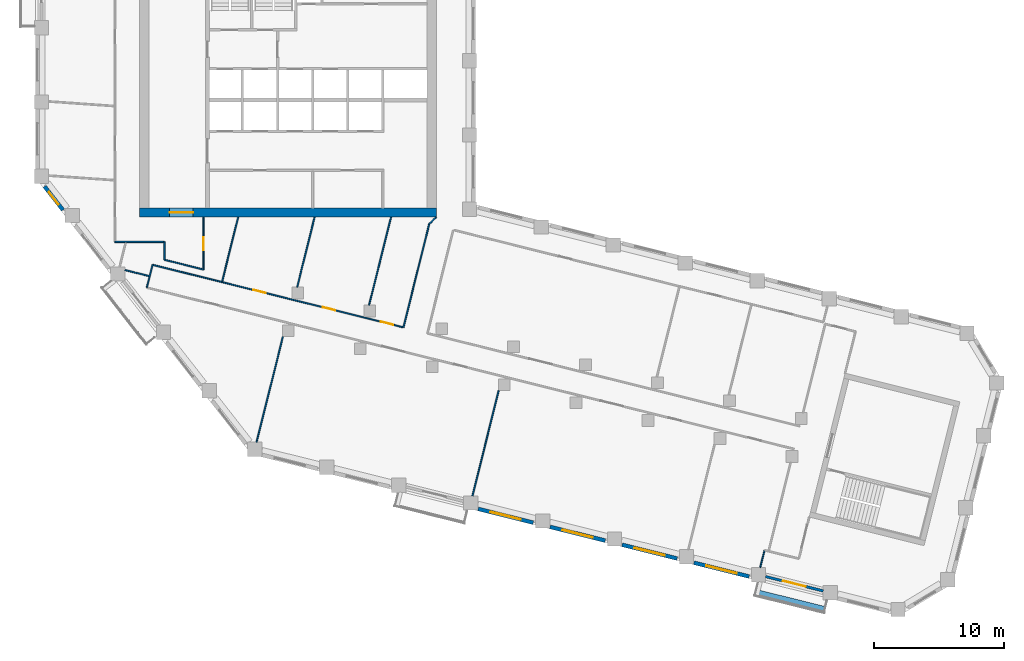
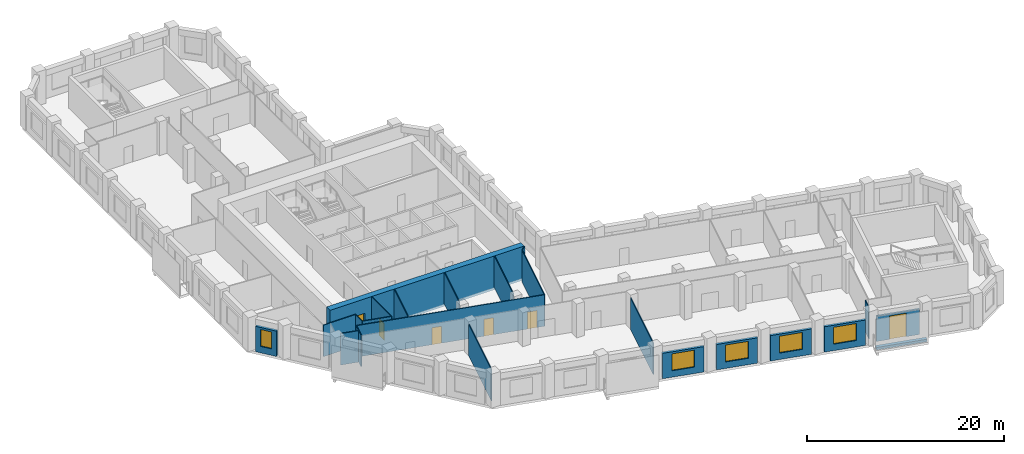
# One storey, part 3 of 10: 23 walls, 6 doors, 5 windows, 11 openings.
"""IFC4 building model written with IfcOpenShell, lengths in metres."""

import ifcopenshell
import ifcopenshell.guid

model = None  # the IFC model being written
_history = None  # IfcOwnerHistory: only IFC2X3 demands one
_inside = {}  # id of a spatial element -> (the spatial element, [elements in it])
_under = {}  # id of a project, library or spatial element -> (it, [spatial elements below it])
_declared = {}  # id of a project -> (the project, [libraries it declares])
_typed = {}  # id of a type object -> (the type object, [elements of that type])
_made_of = {}  # id of a material, layer set ... -> (it, [elements and type objects made of it])


def new_model(schema):
    """Start an empty IFC model of exactly this schema.

    Asked for "IFC4X3", IfcOpenShell would pick the latest addendum, in which some entities
    have other attributes; the version numbers below select the first issue.
    IFC2X3 requires an IfcOwnerHistory on every rooted entity: one is made here for all.
    """
    global model, _history
    if schema == "IFC4X3":
        model = ifcopenshell.file(schema_version=(4, 3, 0, 0))
    else:
        model = ifcopenshell.file(schema=schema)
    _inside.clear()
    _under.clear()
    _declared.clear()
    _typed.clear()
    _made_of.clear()
    _history = None
    if model.schema == "IFC2X3":
        org = make("IfcOrganization", Name="unknown")
        user = make(
            "IfcPersonAndOrganization",
            ThePerson=make("IfcPerson", FamilyName="unknown"),
            TheOrganization=org,
        )
        app = make(
            "IfcApplication",
            ApplicationDeveloper=org,
            Version="unknown",
            ApplicationFullName="unknown",
            ApplicationIdentifier="unknown",
        )
        _history = make(
            "IfcOwnerHistory",
            OwningUser=user,
            OwningApplication=app,
            ChangeAction="ADDED",
            CreationDate=0,
        )
    return model


def make(cls, **values):
    """One entity of the class cls with the attributes given. An attribute that is None is left unset."""
    return model.create_entity(
        cls, **{name: value for name, value in values.items() if value is not None}
    )


def rooted(cls, **values):
    """An entity with a GlobalId (a new one), such as an element, a storey or a relation."""
    return make(cls, GlobalId=ifcopenshell.guid.new(), OwnerHistory=_history, **values)


def si_unit(unit_type, name, prefix=None):
    """IfcSIUnit, for example si_unit("LENGTHUNIT", "METRE", prefix="MILLI")."""
    return make("IfcSIUnit", UnitType=unit_type, Prefix=prefix, Name=name)


def assignment(units):
    """IfcUnitAssignment: the units of a project."""
    return None if units is None else make("IfcUnitAssignment", Units=units)


def point(xyz):
    """IfcCartesianPoint."""
    return None if xyz is None else make("IfcCartesianPoint", Coordinates=xyz)


def direction(xyz):
    """IfcDirection."""
    return None if xyz is None else make("IfcDirection", DirectionRatios=xyz)


def frame(location, z_axis=None, x_axis=None):
    """IfcAxis2Placement3D, a coordinate frame: its origin and axes. An axis left out is left unset."""
    return make(
        "IfcAxis2Placement3D",
        Location=point(location),
        Axis=direction(z_axis),
        RefDirection=direction(x_axis),
    )


def frame_2d(location, x_axis=None):
    """IfcAxis2Placement2D, a coordinate frame in the plane: its origin and x axis."""
    return make(
        "IfcAxis2Placement2D", Location=point(location), RefDirection=direction(x_axis)
    )


def origin():
    """The frame at (0, 0, 0) with its axes left unset."""
    return frame((0.0, 0.0, 0.0))


def place(relative_to, where):
    """IfcLocalPlacement: puts the frame where relative to a parent placement (None: the world)."""
    return make(
        "IfcLocalPlacement", PlacementRelTo=relative_to, RelativePlacement=where
    )


def context(
    kind, dimensions, precision=None, world=None, true_north=None, identifier=None
):
    """IfcGeometricRepresentationContext, for example the 3D "Model" context."""
    return make(
        "IfcGeometricRepresentationContext",
        ContextIdentifier=identifier,
        ContextType=kind,
        CoordinateSpaceDimension=dimensions,
        Precision=precision,
        WorldCoordinateSystem=world,
        TrueNorth=true_north,
    )


def subcontext(parent, identifier, kind, view, scale=None):
    """IfcGeometricRepresentationSubContext, for example "Body" below "Model"."""
    return make(
        "IfcGeometricRepresentationSubContext",
        ContextIdentifier=identifier,
        ContextType=kind,
        ParentContext=parent,
        TargetScale=scale,
        TargetView=view,
    )


def project(units=None, contexts=None):
    """IfcProject with its units and contexts."""
    return rooted(
        "IfcProject",
        Name="project",
        RepresentationContexts=contexts,
        UnitsInContext=assignment(units),
    )


def spatial(cls, under=None, at=None, **own):
    """A site, building, storey or space (cls), placed at a placement, below another one or the project."""
    s = rooted(cls, ObjectPlacement=at, **own)
    if under is not None:
        _under.setdefault(under.id(), (under, []))[1].append(s)
    return s


def profile(cls, at=None, kind="AREA", **sizes):
    """A parametric profile (cls). Its sizes go by their IFC names, for example OverallWidth=200.0."""
    return make(cls, ProfileType=kind, Position=at, **sizes)


def rectangle(**sizes):
    """IfcRectangleProfileDef."""
    return profile("IfcRectangleProfileDef", **sizes)


def extrude(swept, where, along, depth):
    """IfcExtrudedAreaSolid: the profile swept, set in the frame where, extruded along a direction by depth."""
    return make(
        "IfcExtrudedAreaSolid",
        SweptArea=swept,
        Position=where,
        ExtrudedDirection=direction(along),
        Depth=depth,
    )


def shape(context_of_items, identifier, shape_type, items):
    """IfcShapeRepresentation: the items that make up one representation, for example the "Body"."""
    return make(
        "IfcShapeRepresentation",
        ContextOfItems=context_of_items,
        RepresentationIdentifier=identifier,
        RepresentationType=shape_type,
        Items=items,
    )


def material(Name=None, Category=None):
    """IfcMaterial."""
    return make("IfcMaterial", Name=Name, Category=Category)


def layer(
    of_material, thickness, ventilated=None, Name=None, Category=None, Priority=None
):
    """IfcMaterialLayer: one layer of a wall or slab, of a material (None: an air gap)."""
    return make(
        "IfcMaterialLayer",
        Material=of_material,
        LayerThickness=thickness,
        IsVentilated=ventilated,
        Name=Name,
        Category=Category,
        Priority=Priority,
    )


def layer_set(layers, Name=None):
    """IfcMaterialLayerSet."""
    return make("IfcMaterialLayerSet", MaterialLayers=layers, LayerSetName=Name)


def made_of(thing, what):
    """Note that an element or type object is made of a material, layer set ...; save() writes the relation."""
    if what is not None:
        _made_of.setdefault(what.id(), (what, []))[1].append(thing)
    return thing


def type_object(cls, material=None, **own):
    """A type object (cls), such as IfcWallType, which elements share."""
    return made_of(rooted(cls, **own), material)


def element(
    cls,
    number,
    at=None,
    inside=None,
    cuts=None,
    type_object=None,
    material=None,
    context=None,
    identifier="Body",
    shape_type=None,
    held_by="IfcProductDefinitionShape",
    body=None,
    shapes=None,
    **own,
):
    """One element of the class cls, such as IfcWall. Its Tag is "e" and its number.

    at: its placement. inside: the storey or other place that contains it. cuts: it is an
    opening in that element (IfcRelVoidsElement). A single representation is given by context,
    identifier, shape_type and body (its items); several are given by shapes. held_by: the class
    of the entity that holds the representations. save() writes the other relations.
    """
    e = rooted(cls, Tag="e%d" % number, ObjectPlacement=at, **own)
    if body is not None:
        shapes = [shape(context, identifier, shape_type, body)]
    if shapes is not None:
        e.Representation = make(held_by, Representations=shapes)
    if inside is not None:
        _inside.setdefault(inside.id(), (inside, []))[1].append(e)
    if cuts is not None:
        rooted(
            "IfcRelVoidsElement", RelatingBuildingElement=cuts, RelatedOpeningElement=e
        )
    if type_object is not None:
        _typed.setdefault(type_object.id(), (type_object, []))[1].append(e)
    return made_of(e, material)


def fill(opening, filler):
    """IfcRelFillsElement: the door or window that sits in an opening."""
    return rooted(
        "IfcRelFillsElement",
        RelatingOpeningElement=opening,
        RelatedBuildingElement=filler,
    )


def aggregate(whole, parts):
    """IfcRelAggregates: a whole, such as a stair, and the parts it consists of."""
    return rooted("IfcRelAggregates", RelatingObject=whole, RelatedObjects=parts)


def save(model, path):
    """Write the relations noted so far, then the file.

    IfcRelAggregates (storeys below a building ...), IfcRelContainedInSpatialStructure (elements
    in a storey), IfcRelDefinesByType, IfcRelAssociatesMaterial and IfcRelDeclares: one each for
    every whole, place, type object, material and project.
    """
    for whole, parts in _under.values():
        aggregate(whole, parts)
    for where, things in _inside.values():
        rooted(
            "IfcRelContainedInSpatialStructure",
            RelatedElements=things,
            RelatingStructure=where,
        )
    for kind, things in _typed.values():
        rooted("IfcRelDefinesByType", RelatedObjects=things, RelatingType=kind)
    for what, things in _made_of.values():
        rooted("IfcRelAssociatesMaterial", RelatedObjects=things, RelatingMaterial=what)
    for by, libraries in _declared.values():
        rooted("IfcRelDeclares", RelatingContext=by, RelatedDefinitions=libraries)
    model.write(path)


model = new_model("IFC4")

# Units and contexts
model_context = context("Model", 3, precision=1e-05, world=origin(), true_north=direction((0.0, 1.0)))
body_context = subcontext(model_context, "Body", "Model", "MODEL_VIEW")
ifc_project = project(units=[si_unit("LENGTHUNIT", "METRE"), si_unit("AREAUNIT", "SQUARE_METRE"), si_unit("VOLUMEUNIT", "CUBIC_METRE"), si_unit("PLANEANGLEUNIT", "RADIAN"), si_unit("MASSUNIT", "GRAM", prefix="KILO")], contexts=[model_context])

# Site, building, storey
site_placement = place(None, origin())
site = spatial("IfcSite", under=ifc_project, at=site_placement, CompositionType="ELEMENT")
building_placement = place(site_placement, origin())
building = spatial("IfcBuilding", under=site, at=building_placement, Name="Meshkara Civic Tower", CompositionType="ELEMENT")
storey_placement = place(building_placement, frame((0.0, 0.0, 271.800048828125)))
storey = spatial("IfcBuildingStorey", under=building, at=storey_placement, Name="L62", CompositionType="ELEMENT", Elevation=271.800048828125)

# Wall, opening, door
ifc_material_1 = material(Name="Concrete C60", Category="concrete")
ifc_layer_1 = layer(ifc_material_1, 0.699951171875)
ifc_layer_set_1 = layer_set([ifc_layer_1], Name="Core ring wall 700 C60")
wall_type_1 = type_object("IfcWallType", Name="Core ring wall 700 C60", PredefinedType="SHEAR", material=ifc_layer_set_1)
wall_1_placement = place(storey_placement, frame((8.0, 14.449951171875, -0.300048828125), z_axis=(0.0, 0.0, 1.0), x_axis=(1.0, 0.0, 0.0)))
wall_1 = element("IfcWall", 1, at=wall_1_placement, inside=storey, type_object=wall_type_1, Name="L62-C001", PredefinedType="SHEAR", context=body_context, shape_type="SweptSolid", body=[
    extrude(rectangle(XDim=22.800048828125, YDim=0.699951171875, at=frame_2d((11.39990234375, 0.0))), origin(), (0.0, 0.0, 1.0), 4.199951171875),
])
opening_1_placement = place(wall_1_placement, frame((2.300048828125, 0.0, 0.300048828125)))
opening_1 = element("IfcOpeningElement", 2, at=opening_1_placement, cuts=wall_1, Name="Opening L62-K020", PredefinedType="OPENING", context=body_context, shape_type="SweptSolid", body=[
    extrude(rectangle(XDim=1.800048828125, YDim=2.10009765625, at=frame_2d((0.89990234375, 1.050048828125))), frame((0.0, 0.35986328125, 0.0), z_axis=(0.0, -1.0, 0.0), x_axis=(1.0, 0.0, 0.0)), (0.0, 0.0, 1.0), 0.719970703125),
])
ifc_material_2 = material(Name="Fire-rated door leaf in steel frame", Category="steel")
door_type_1 = type_object("IfcDoorType", Name="Core double door 1800 EI 60", OperationType="DOUBLE_DOOR_SINGLE_SWING", PredefinedType="DOOR", material=ifc_material_2)
door_1_placement = place(opening_1_placement, origin())
door_1 = element("IfcDoor", 3, at=door_1_placement, inside=storey, type_object=door_type_1, Name="L62-K020", OperationType="DOUBLE_DOOR_SINGLE_SWING", OverallHeight=2.10009765625, OverallWidth=1.800048828125, PredefinedType="DOOR", context=body_context, shape_type="SweptSolid", body=[
    extrude(rectangle(XDim=1.800048828125, YDim=2.10009765625, at=frame_2d((0.89990234375, 1.050048828125))), frame((0.0, 0.02490234375, 0.0), z_axis=(0.0, -1.0, 0.0), x_axis=(1.0, 0.0, 0.0)), (0.0, 0.0, 1.0), 0.050048828125),
])
fill(opening_1, door_1)

# Wall
ifc_material_3 = material(Name="Corridor wall 100")
ifc_layer_2 = layer(ifc_material_3, 0.10009765625)
ifc_layer_set_2 = layer_set([ifc_layer_2], Name="Corridor wall 100")
wall_type_2 = type_object("IfcWallType", Name="Corridor wall 100", PredefinedType="PARTITIONING", material=ifc_layer_set_2)
wall_2_placement = place(storey_placement, frame((6.10009765625, 12.199951171875, 0.0), z_axis=(0.0, 0.0, 1.0), x_axis=(1.0, 0.0, 0.0)))
element("IfcWall", 4, at=wall_2_placement, inside=storey, type_object=wall_type_2, Name="L62-W004", PredefinedType="PARTITIONING", context=body_context, shape_type="SweptSolid", body=[
    extrude(rectangle(XDim=3.7998046875, YDim=0.10009765625, at=frame_2d((1.89990234375, 0.0))), origin(), (0.0, 0.0, 1.0), 3.89990234375),
])

# Wall, openings, doors
wall_3_placement = place(storey_placement, frame((8.988037109375, 10.43994140625, 0.0), z_axis=(0.0, 0.0, 1.0), x_axis=(0.970301223092, -0.241899848006, 0.0)))
wall_3 = element("IfcWall", 5, at=wall_3_placement, inside=storey, type_object=wall_type_2, Name="L62-W007", PredefinedType="PARTITIONING", context=body_context, shape_type="SweptSolid", body=[
    extrude(rectangle(XDim=19.87939453125, YDim=0.10009765625, at=frame_2d((9.939697265625, 0.0))), origin(), (0.0, 0.0, 1.0), 3.89990234375),
])
opening_2_placement = place(wall_3_placement, frame((18.0830078125, 0.0, 0.0)))
opening_2 = element("IfcOpeningElement", 6, at=opening_2_placement, cuts=wall_3, Name="Opening L62-D005", PredefinedType="OPENING", context=body_context, shape_type="SweptSolid", body=[
    extrude(rectangle(XDim=1.0, YDim=2.10009765625, at=frame_2d((0.5, 1.050048828125))), frame((0.0, 0.06005859375, 0.0), z_axis=(0.0, -1.0, 0.0), x_axis=(1.0, 0.0, 0.0)), (0.0, 0.0, 1.0), 0.1201171875),
])
opening_3_placement = place(wall_3_placement, frame((7.98291015625, 0.0, 0.0)))
opening_3 = element("IfcOpeningElement", 7, at=opening_3_placement, cuts=wall_3, Name="Opening L62-D011", PredefinedType="OPENING", context=body_context, shape_type="SweptSolid", body=[
    extrude(rectangle(XDim=1.0, YDim=2.10009765625, at=frame_2d((0.5, 1.050048828125))), frame((0.0, 0.06005859375, 0.0), z_axis=(0.0, -1.0, 0.0), x_axis=(1.0, 0.0, 0.0)), (0.0, 0.0, 1.0), 0.1201171875),
])
opening_4_placement = place(wall_3_placement, frame((13.48291015625, 0.0, 0.0)))
opening_4 = element("IfcOpeningElement", 8, at=opening_4_placement, cuts=wall_3, Name="Opening L62-D012", PredefinedType="OPENING", context=body_context, shape_type="SweptSolid", body=[
    extrude(rectangle(XDim=1.0, YDim=2.10009765625, at=frame_2d((0.5, 1.050048828125))), frame((0.0, 0.06005859375, 0.0), z_axis=(0.0, -1.0, 0.0), x_axis=(1.0, 0.0, 0.0)), (0.0, 0.0, 1.0), 0.1201171875),
])
ifc_material_4 = material(Name="Door 1000 x 2100")
door_type_2 = type_object("IfcDoorType", Name="Door 1000 x 2100", OperationType="SINGLE_SWING_LEFT", PredefinedType="DOOR", material=ifc_material_4)
door_2_placement = place(opening_2_placement, origin())
door_2 = element("IfcDoor", 9, at=door_2_placement, inside=storey, type_object=door_type_2, Name="L62-D005", OperationType="SINGLE_SWING_RIGHT", OverallHeight=2.10009765625, OverallWidth=1.0, PredefinedType="DOOR", context=body_context, shape_type="SweptSolid", body=[
    extrude(rectangle(XDim=1.0, YDim=2.10009765625, at=frame_2d((0.5, 1.050048828125))), frame((0.0, 0.02490234375, 0.0), z_axis=(0.0, -1.0, 0.0), x_axis=(1.0, 0.0, 0.0)), (0.0, 0.0, 1.0), 0.050048828125),
])
fill(opening_2, door_2)
door_3_placement = place(opening_3_placement, origin())
door_3 = element("IfcDoor", 10, at=door_3_placement, inside=storey, type_object=door_type_2, Name="L62-D011", OperationType="SINGLE_SWING_RIGHT", OverallHeight=2.10009765625, OverallWidth=1.0, PredefinedType="DOOR", context=body_context, shape_type="SweptSolid", body=[
    extrude(rectangle(XDim=1.0, YDim=2.10009765625, at=frame_2d((0.5, 1.050048828125))), frame((0.0, 0.02490234375, 0.0), z_axis=(0.0, -1.0, 0.0), x_axis=(1.0, 0.0, 0.0)), (0.0, 0.0, 1.0), 0.050048828125),
])
fill(opening_3, door_3)
door_4_placement = place(opening_4_placement, origin())
door_4 = element("IfcDoor", 11, at=door_4_placement, inside=storey, type_object=door_type_2, Name="L62-D012", OperationType="SINGLE_SWING_LEFT", OverallHeight=2.10009765625, OverallWidth=1.0, PredefinedType="DOOR", context=body_context, shape_type="SweptSolid", body=[
    extrude(rectangle(XDim=1.0, YDim=2.10009765625, at=frame_2d((0.5, 1.050048828125))), frame((0.0, 0.02490234375, 0.0), z_axis=(0.0, -1.0, 0.0), x_axis=(1.0, 0.0, 0.0)), (0.0, 0.0, 1.0), 0.050048828125),
])
fill(opening_4, door_4)

# Walls
wall_4_placement = place(storey_placement, frame((8.988037109375, 10.43994140625, 0.0), z_axis=(0.0, 0.0, 1.0), x_axis=(-0.242154485745, -0.970237705428, 0.0)))
element("IfcWall", 12, at=wall_4_placement, inside=storey, type_object=wall_type_2, Name="L62-W008", PredefinedType="PARTITIONING", context=body_context, shape_type="SweptSolid", body=[
    extrude(rectangle(XDim=1.80859375, YDim=0.10009765625, at=frame_2d((0.904296875, 0.0))), origin(), (0.0, 0.0, 1.0), 3.89990234375),
])
wall_5_placement = place(storey_placement, frame((9.89990234375, 10.825927734375, 0.0), z_axis=(0.0, 0.0, 1.0), x_axis=(0.970290953223, -0.241941038466, 0.0)))
element("IfcWall", 13, at=wall_5_placement, inside=storey, type_object=wall_type_2, Name="L62-W009", PredefinedType="PARTITIONING", context=body_context, shape_type="SweptSolid", body=[
    extrude(rectangle(XDim=3.091796875, YDim=0.10009765625, at=frame_2d((1.5458984375, 0.0))), origin(), (0.0, 0.0, 1.0), 3.89990234375),
])
wall_6_placement = place(storey_placement, frame((9.89990234375, 12.199951171875, 0.0), z_axis=(0.0, 0.0, 1.0), x_axis=(0.0, -1.0, 0.0)))
element("IfcWall", 14, at=wall_6_placement, inside=storey, type_object=wall_type_2, Name="L62-W010", PredefinedType="PARTITIONING", context=body_context, shape_type="SweptSolid", body=[
    extrude(rectangle(XDim=1.3740234375, YDim=0.10009765625, at=frame_2d((0.68701171875, 0.0))), origin(), (0.0, 0.0, 1.0), 3.89990234375),
])

# Wall, opening, door
wall_7_placement = place(storey_placement, frame((12.89990234375, 10.077880859375, 0.0), z_axis=(0.0, 0.0, 1.0), x_axis=(0.0, 1.0, 0.0)))
wall_7 = element("IfcWall", 15, at=wall_7_placement, inside=storey, type_object=wall_type_2, Name="L62-W014", PredefinedType="PARTITIONING", context=body_context, shape_type="SweptSolid", body=[
    extrude(rectangle(XDim=4.022216796875, YDim=0.10009765625, at=frame_2d((2.01123046875, 0.0))), origin(), (0.0, 0.0, 1.0), 3.89990234375),
])
opening_5_placement = place(wall_7_placement, frame((1.47998046875, 0.0, 0.0)))
opening_5 = element("IfcOpeningElement", 16, at=opening_5_placement, cuts=wall_7, Name="Opening L62-D017", PredefinedType="OPENING", context=body_context, shape_type="SweptSolid", body=[
    extrude(rectangle(XDim=1.0, YDim=2.10009765625, at=frame_2d((0.5, 1.050048828125))), frame((0.0, 0.06005859375, 0.0), z_axis=(0.0, -1.0, 0.0), x_axis=(1.0, 0.0, 0.0)), (0.0, 0.0, 1.0), 0.1201171875),
])
door_5_placement = place(opening_5_placement, origin())
door_5 = element("IfcDoor", 17, at=door_5_placement, inside=storey, type_object=door_type_2, Name="L62-D017", OperationType="SINGLE_SWING_RIGHT", OverallHeight=2.10009765625, OverallWidth=1.0, PredefinedType="DOOR", context=body_context, shape_type="SweptSolid", body=[
    extrude(rectangle(XDim=1.0, YDim=2.10009765625, at=frame_2d((0.5, 1.050048828125))), frame((0.0, 0.02490234375, 0.0), z_axis=(0.0, -1.0, 0.0), x_axis=(1.0, 0.0, 0.0)), (0.0, 0.0, 1.0), 0.050048828125),
])
fill(opening_5, door_5)

# Walls
wall_8_placement = place(storey_placement, frame((30.259033203125, 13.5830078125, 0.0), z_axis=(0.0, 0.0, 1.0), x_axis=(-0.241841612879, -0.970315739479, 0.0)))
element("IfcWall", 18, at=wall_8_placement, inside=storey, type_object=wall_type_2, Name="L62-W023", PredefinedType="PARTITIONING", context=body_context, shape_type="SweptSolid", body=[
    extrude(rectangle(XDim=8.195068359375, YDim=0.10009765625, at=frame_2d((4.09765625, 0.0))), origin(), (0.0, 0.0, 1.0), 3.89990234375),
])
wall_9_placement = place(storey_placement, frame((30.800048828125, 14.10009765625, 0.0), z_axis=(0.0, 0.0, 1.0), x_axis=(-0.722911025189, -0.690941133281, 0.0)))
element("IfcWall", 19, at=wall_9_placement, inside=storey, type_object=wall_type_2, Name="L62-W024", PredefinedType="PARTITIONING", context=body_context, shape_type="SweptSolid", body=[
    extrude(rectangle(XDim=0.748291015625, YDim=0.10009765625, at=frame_2d((0.3740234375, 0.0))), origin(), (0.0, 0.0, 1.0), 3.89990234375),
])

# Wall, opening, window
ifc_material_5 = material(Name="Insulated infill panel with bronze anodised aluminium cladding", Category="aluminium")
ifc_layer_3 = layer(ifc_material_5, 0.300048828125)
ifc_layer_set_3 = layer_set([ifc_layer_3], Name="EXTERNAL INFILL WALL 300")
wall_type_3 = type_object("IfcWallType", Name="EXTERNAL INFILL WALL 300", PredefinedType="SOLIDWALL", material=ifc_layer_set_3)
wall_10_placement = place(storey_placement, frame((0.68896484375, 16.4619140625, 0.0), z_axis=(0.0, 0.0, 1.0), x_axis=(0.615625465473, -0.788038886262, 0.0)))
wall_10 = element("IfcWall", 20, at=wall_10_placement, inside=storey, type_object=wall_type_3, Name="External wall", PredefinedType="SOLIDWALL", context=body_context, shape_type="SweptSolid", body=[
    extrude(rectangle(XDim=2.29541015625, YDim=0.300048828125, at=frame_2d((1.147705078125, 0.0))), origin(), (0.0, 0.0, 1.0), 3.14990234375),
])
opening_6_placement = place(wall_10_placement, frame((0.548095703125, 0.0, 0.800048828125)))
opening_6 = element("IfcOpeningElement", 21, at=opening_6_placement, cuts=wall_10, Name="Opening W3", PredefinedType="OPENING", context=body_context, shape_type="SweptSolid", body=[
    extrude(rectangle(XDim=1.199951171875, YDim=2.10009765625, at=frame_2d((0.60009765625, 1.050048828125))), frame((0.0, 0.159912109375, 0.0), z_axis=(0.0, -1.0, 0.0), x_axis=(1.0, 0.0, 0.0)), (0.0, 0.0, 1.0), 0.320068359375),
])
ifc_material_6 = material(Name="Tinted double glazing", Category="glass")
window_type_1 = type_object("IfcWindowType", Name="WINDOW 1200x2100", PartitioningType="SINGLE_PANEL", PredefinedType="WINDOW", material=ifc_material_6)
window_1_placement = place(opening_6_placement, origin())
window_1 = element("IfcWindow", 22, at=window_1_placement, inside=storey, type_object=window_type_1, Name="Window", OverallHeight=2.10009765625, OverallWidth=1.199951171875, PartitioningType="SINGLE_PANEL", PredefinedType="WINDOW", context=body_context, shape_type="SweptSolid", body=[
    extrude(rectangle(XDim=1.199951171875, YDim=2.10009765625, at=frame_2d((0.60009765625, 1.050048828125))), frame((0.0, 0.030029296875, 0.0), z_axis=(0.0, -1.0, 0.0), x_axis=(1.0, 0.0, 0.0)), (0.0, 0.0, 1.0), 0.06005859375),
])
fill(opening_6, window_1)

wall_11_placement = place(storey_placement, frame((34.01708984375, -8.326904296875, 0.0), z_axis=(0.0, 0.0, 1.0), x_axis=(0.970306725873, -0.241877774353, 0.0)))
wall_11 = element("IfcWall", 23, at=wall_11_placement, inside=storey, type_object=wall_type_3, Name="External wall", PredefinedType="SOLIDWALL", context=body_context, shape_type="SweptSolid", body=[
    extrude(rectangle(XDim=4.366455078125, YDim=0.300048828125, at=frame_2d((2.18310546875, 0.0))), origin(), (0.0, 0.0, 1.0), 3.14990234375),
])
opening_7_placement = place(wall_11_placement, frame((0.98291015625, 0.0, 0.800048828125)))
opening_7 = element("IfcOpeningElement", 24, at=opening_7_placement, cuts=wall_11, Name="Opening W7", PredefinedType="OPENING", context=body_context, shape_type="SweptSolid", body=[
    extrude(rectangle(XDim=2.39990234375, YDim=2.10009765625, at=frame_2d((1.199951171875, 1.050048828125))), frame((0.0, 0.159912109375, 0.0), z_axis=(0.0, -1.0, 0.0), x_axis=(1.0, 0.0, 0.0)), (0.0, 0.0, 1.0), 0.320068359375),
])
ifc_material_7 = material(Name="Tinted double glazing", Category="glass")
window_type_2 = type_object("IfcWindowType", Name="WINDOW 2400x2100", PartitioningType="DOUBLE_PANEL_VERTICAL", PredefinedType="WINDOW", material=ifc_material_7)
window_2_placement = place(opening_7_placement, origin())
window_2 = element("IfcWindow", 25, at=window_2_placement, inside=storey, type_object=window_type_2, Name="Window", OverallHeight=2.10009765625, OverallWidth=2.39990234375, PartitioningType="DOUBLE_PANEL_VERTICAL", PredefinedType="WINDOW", context=body_context, shape_type="SweptSolid", body=[
    extrude(rectangle(XDim=2.39990234375, YDim=2.10009765625, at=frame_2d((1.199951171875, 1.050048828125))), frame((0.0, 0.030029296875, 0.0), z_axis=(0.0, -1.0, 0.0), x_axis=(1.0, 0.0, 0.0)), (0.0, 0.0, 1.0), 0.06005859375),
])
fill(opening_7, window_2)

wall_12_placement = place(storey_placement, frame((39.548095703125, -9.7060546875, 0.0), z_axis=(0.0, 0.0, 1.0), x_axis=(0.970319847058, -0.241825131873, 0.0)))
wall_12 = element("IfcWall", 26, at=wall_12_placement, inside=storey, type_object=wall_type_3, Name="External wall", PredefinedType="SOLIDWALL", context=body_context, shape_type="SweptSolid", body=[
    extrude(rectangle(XDim=4.366455078125, YDim=0.300048828125, at=frame_2d((2.18310546875, 0.0))), origin(), (0.0, 0.0, 1.0), 3.14990234375),
])
opening_8_placement = place(wall_12_placement, frame((0.98291015625, 0.0, 0.800048828125)))
opening_8 = element("IfcOpeningElement", 27, at=opening_8_placement, cuts=wall_12, Name="Opening W7", PredefinedType="OPENING", context=body_context, shape_type="SweptSolid", body=[
    extrude(rectangle(XDim=2.39990234375, YDim=2.10009765625, at=frame_2d((1.199951171875, 1.050048828125))), frame((0.0, 0.159912109375, 0.0), z_axis=(0.0, -1.0, 0.0), x_axis=(1.0, 0.0, 0.0)), (0.0, 0.0, 1.0), 0.320068359375),
])
window_3_placement = place(opening_8_placement, origin())
window_3 = element("IfcWindow", 28, at=window_3_placement, inside=storey, type_object=window_type_2, Name="Window", OverallHeight=2.10009765625, OverallWidth=2.39990234375, PartitioningType="DOUBLE_PANEL_VERTICAL", PredefinedType="WINDOW", context=body_context, shape_type="SweptSolid", body=[
    extrude(rectangle(XDim=2.39990234375, YDim=2.10009765625, at=frame_2d((1.199951171875, 1.050048828125))), frame((0.0, 0.030029296875, 0.0), z_axis=(0.0, -1.0, 0.0), x_axis=(1.0, 0.0, 0.0)), (0.0, 0.0, 1.0), 0.06005859375),
])
fill(opening_8, window_3)

wall_13_placement = place(storey_placement, frame((45.0791015625, -11.0849609375, 0.0), z_axis=(0.0, 0.0, 1.0), x_axis=(0.970293636985, -0.241930275135, 0.0)))
wall_13 = element("IfcWall", 29, at=wall_13_placement, inside=storey, type_object=wall_type_3, Name="External wall", PredefinedType="SOLIDWALL", context=body_context, shape_type="SweptSolid", body=[
    extrude(rectangle(XDim=4.365478515625, YDim=0.300048828125, at=frame_2d((2.1826171875, 0.0))), origin(), (0.0, 0.0, 1.0), 3.14990234375),
])
opening_9_placement = place(wall_13_placement, frame((0.98291015625, 0.0, 0.800048828125)))
opening_9 = element("IfcOpeningElement", 30, at=opening_9_placement, cuts=wall_13, Name="Opening W7", PredefinedType="OPENING", context=body_context, shape_type="SweptSolid", body=[
    extrude(rectangle(XDim=2.39990234375, YDim=2.10009765625, at=frame_2d((1.199951171875, 1.050048828125))), frame((0.0, 0.159912109375, 0.0), z_axis=(0.0, -1.0, 0.0), x_axis=(1.0, 0.0, 0.0)), (0.0, 0.0, 1.0), 0.320068359375),
])
window_4_placement = place(opening_9_placement, origin())
window_4 = element("IfcWindow", 31, at=window_4_placement, inside=storey, type_object=window_type_2, Name="Window", OverallHeight=2.10009765625, OverallWidth=2.39990234375, PartitioningType="DOUBLE_PANEL_VERTICAL", PredefinedType="WINDOW", context=body_context, shape_type="SweptSolid", body=[
    extrude(rectangle(XDim=2.39990234375, YDim=2.10009765625, at=frame_2d((1.199951171875, 1.050048828125))), frame((0.0, 0.030029296875, 0.0), z_axis=(0.0, -1.0, 0.0), x_axis=(1.0, 0.0, 0.0)), (0.0, 0.0, 1.0), 0.06005859375),
])
fill(opening_9, window_4)

wall_14_placement = place(storey_placement, frame((50.60888671875, -12.462890625, 0.0), z_axis=(0.0, 0.0, 1.0), x_axis=(0.970257492536, -0.242075191166, 0.0)))
wall_14 = element("IfcWall", 32, at=wall_14_placement, inside=storey, type_object=wall_type_3, Name="External wall", PredefinedType="SOLIDWALL", context=body_context, shape_type="SweptSolid", body=[
    extrude(rectangle(XDim=4.366943359375, YDim=0.300048828125, at=frame_2d((2.18359375, 0.0))), origin(), (0.0, 0.0, 1.0), 3.14990234375),
])
opening_10_placement = place(wall_14_placement, frame((0.98291015625, 0.0, 0.800048828125)))
opening_10 = element("IfcOpeningElement", 33, at=opening_10_placement, cuts=wall_14, Name="Opening W7", PredefinedType="OPENING", context=body_context, shape_type="SweptSolid", body=[
    extrude(rectangle(XDim=2.39990234375, YDim=2.10009765625, at=frame_2d((1.199951171875, 1.050048828125))), frame((0.0, 0.159912109375, 0.0), z_axis=(0.0, -1.0, 0.0), x_axis=(1.0, 0.0, 0.0)), (0.0, 0.0, 1.0), 0.320068359375),
])
window_5_placement = place(opening_10_placement, origin())
window_5 = element("IfcWindow", 34, at=window_5_placement, inside=storey, type_object=window_type_2, Name="Window", OverallHeight=2.10009765625, OverallWidth=2.39990234375, PartitioningType="DOUBLE_PANEL_VERTICAL", PredefinedType="WINDOW", context=body_context, shape_type="SweptSolid", body=[
    extrude(rectangle(XDim=2.39990234375, YDim=2.10009765625, at=frame_2d((1.199951171875, 1.050048828125))), frame((0.0, 0.030029296875, 0.0), z_axis=(0.0, -1.0, 0.0), x_axis=(1.0, 0.0, 0.0)), (0.0, 0.0, 1.0), 0.06005859375),
])
fill(opening_10, window_5)

# Wall, opening, door
ifc_material_8 = material(Name="Insulated infill panel with bronze anodised aluminium cladding", Category="aluminium")
ifc_layer_4 = layer(ifc_material_8, 0.199951171875)
ifc_layer_set_4 = layer_set([ifc_layer_4], Name="LOGGIA BACK WALL 200")
wall_type_4 = type_object("IfcWallType", Name="LOGGIA BACK WALL 200", PredefinedType="SOLIDWALL", material=ifc_layer_set_4)
wall_15_placement = place(storey_placement, frame((56.115966796875, -13.527099609375, 0.0), z_axis=(0.0, 0.0, 1.0), x_axis=(0.970286982272, -0.241956963183, 0.0)))
wall_15 = element("IfcWall", 35, at=wall_15_placement, inside=storey, type_object=wall_type_4, Name="Loggia wall", PredefinedType="SOLIDWALL", context=body_context, shape_type="SweptSolid", body=[
    extrude(rectangle(XDim=4.56689453125, YDim=0.199951171875, at=frame_2d((2.283447265625, 0.0))), origin(), (0.0, 0.0, 1.0), 3.14990234375),
])
opening_11_placement = place(wall_15_placement, frame((1.383056640625, 0.0, 0.0)))
opening_11 = element("IfcOpeningElement", 36, at=opening_11_placement, cuts=wall_15, Name="Opening L62-L004", PredefinedType="OPENING", context=body_context, shape_type="SweptSolid", body=[
    extrude(rectangle(XDim=1.800048828125, YDim=2.89990234375, at=frame_2d((0.89990234375, 1.449951171875))), frame((0.0, 0.10986328125, 0.0), z_axis=(0.0, -1.0, 0.0), x_axis=(1.0, 0.0, 0.0)), (0.0, 0.0, 1.0), 0.219970703125),
])
ifc_material_9 = material(Name="Tinted double glazing", Category="glass")
door_type_3 = type_object("IfcDoorType", Name="LOGGIA DOOR 1800x2900", OperationType="DOUBLE_DOOR_SINGLE_SWING", PredefinedType="DOOR", material=ifc_material_9)
door_6_placement = place(opening_11_placement, origin())
door_6 = element("IfcDoor", 37, at=door_6_placement, inside=storey, type_object=door_type_3, Name="L62-L004", OperationType="DOUBLE_DOOR_SINGLE_SWING", OverallHeight=2.89990234375, OverallWidth=1.800048828125, PredefinedType="DOOR", context=body_context, shape_type="SweptSolid", body=[
    extrude(rectangle(XDim=1.800048828125, YDim=2.89990234375, at=frame_2d((0.89990234375, 1.449951171875))), frame((0.0, 0.02490234375, 0.0), z_axis=(0.0, -1.0, 0.0), x_axis=(1.0, 0.0, 0.0)), (0.0, 0.0, 1.0), 0.050048828125),
])
fill(opening_11, door_6)

# Walls
ifc_material_10 = material(Name="Concrete C40", Category="concrete")
ifc_layer_5 = layer(ifc_material_10, 0.39990234375)
ifc_layer_set_5 = layer_set([ifc_layer_5], Name="PLANTER TRAY")
wall_type_5 = type_object("IfcWallType", Name="PLANTER TRAY", PredefinedType="SOLIDWALL", material=ifc_layer_set_5)
wall_16_placement = place(storey_placement, frame((55.408935546875, -14.721923828125, 0.0), z_axis=(0.0, 0.0, 1.0), x_axis=(0.970324412772, -0.241806811275, 0.0)))
element("IfcWall", 38, at=wall_16_placement, inside=storey, type_object=wall_type_5, Name="Planter", PredefinedType="SOLIDWALL", context=body_context, shape_type="SweptSolid", body=[
    extrude(rectangle(XDim=5.3603515625, YDim=0.39990234375, at=frame_2d((2.68017578125, 0.0))), origin(), (0.0, 0.0, 1.0), 0.300048828125),
])
ifc_material_11 = material(Name="Partition 100")
ifc_layer_6 = layer(ifc_material_11, 0.10009765625)
ifc_layer_set_6 = layer_set([ifc_layer_6], Name="Partition 100")
wall_type_6 = type_object("IfcWallType", Name="Partition 100", PredefinedType="PARTITIONING", material=ifc_layer_set_6)
wall_17_placement = place(storey_placement, frame((8.719970703125, 9.573974609375, 0.0), z_axis=(0.0, 0.0, 1.0), x_axis=(-0.970240497311, 0.242143299263, 0.0)))
element("IfcWall", 39, at=wall_17_placement, inside=storey, type_object=wall_type_6, Name="L62-W040", PredefinedType="PARTITIONING", context=body_context, shape_type="SweptSolid", body=[
    extrude(rectangle(XDim=1.903564453125, YDim=0.10009765625, at=frame_2d((0.95166015625, 0.0))), origin(), (0.0, 0.0, 1.0), 3.89990234375),
])
wall_18_placement = place(storey_placement, frame((14.340087890625, 9.157958984375, 0.0), z_axis=(0.0, 0.0, 1.0), x_axis=(0.241870144538, 0.970308627799, 0.0)))
element("IfcWall", 40, at=wall_18_placement, inside=storey, type_object=wall_type_6, Name="L62-W041", PredefinedType="PARTITIONING", context=body_context, shape_type="SweptSolid", body=[
    extrude(rectangle(XDim=5.09326171875, YDim=0.10009765625, at=frame_2d((2.546630859375, 0.0))), origin(), (0.0, 0.0, 1.0), 3.89990234375),
])
wall_19_placement = place(storey_placement, frame((16.988037109375, -3.18798828125, 0.0), z_axis=(0.0, 0.0, 1.0), x_axis=(0.241922982745, 0.97029545522, 0.0)))
element("IfcWall", 41, at=wall_19_placement, inside=storey, type_object=wall_type_6, Name="L62-W042", PredefinedType="PARTITIONING", context=body_context, shape_type="SweptSolid", body=[
    extrude(rectangle(XDim=8.345703125, YDim=0.10009765625, at=frame_2d((4.1728515625, 0.0))), origin(), (0.0, 0.0, 1.0), 3.89990234375),
])
wall_20_placement = place(storey_placement, frame((20.10595703125, 8.720947265625, 0.0), z_axis=(0.0, 0.0, 1.0), x_axis=(0.24190349153, 0.970300314741, 0.0)))
element("IfcWall", 42, at=wall_20_placement, inside=storey, type_object=wall_type_6, Name="L62-W043", PredefinedType="PARTITIONING", context=body_context, shape_type="SweptSolid", body=[
    extrude(rectangle(XDim=5.543701171875, YDim=0.10009765625, at=frame_2d((2.77197265625, 0.0))), origin(), (0.0, 0.0, 1.0), 3.89990234375),
])
wall_21_placement = place(storey_placement, frame((25.635986328125, 7.342041015625, 0.0), z_axis=(0.0, 0.0, 1.0), x_axis=(0.241933497251, 0.970292833586, 0.0)))
element("IfcWall", 43, at=wall_21_placement, inside=storey, type_object=wall_type_6, Name="L62-W045", PredefinedType="PARTITIONING", context=body_context, shape_type="SweptSolid", body=[
    extrude(rectangle(XDim=6.965087890625, YDim=0.10009765625, at=frame_2d((3.482421875, 0.0))), origin(), (0.0, 0.0, 1.0), 3.89990234375),
])
wall_22_placement = place(storey_placement, frame((33.580078125, -7.324951171875, 0.0), z_axis=(0.0, 0.0, 1.0), x_axis=(0.241922982745, 0.97029545522, 0.0)))
element("IfcWall", 44, at=wall_22_placement, inside=storey, type_object=wall_type_6, Name="L62-W046", PredefinedType="PARTITIONING", context=body_context, shape_type="SweptSolid", body=[
    extrude(rectangle(XDim=8.345703125, YDim=0.10009765625, at=frame_2d((4.1728515625, 0.0))), origin(), (0.0, 0.0, 1.0), 3.89990234375),
])
wall_23_placement = place(storey_placement, frame((55.702880859375, -12.840087890625, 0.0), z_axis=(0.0, 0.0, 1.0), x_axis=(0.242327978011, 0.970194388292, 0.0)))
element("IfcWall", 45, at=wall_23_placement, inside=storey, type_object=wall_type_6, Name="L62-W050", PredefinedType="PARTITIONING", context=body_context, shape_type="SweptSolid", body=[
    extrude(rectangle(XDim=1.38330078125, YDim=0.10009765625, at=frame_2d((0.691650390625, 0.0))), origin(), (0.0, 0.0, 1.0), 3.89990234375),
])

save(model, "model.ifc")
